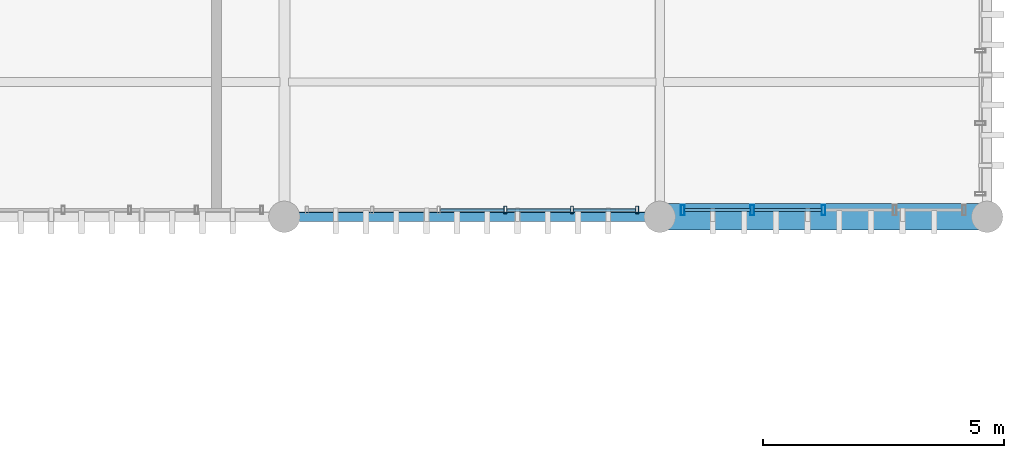
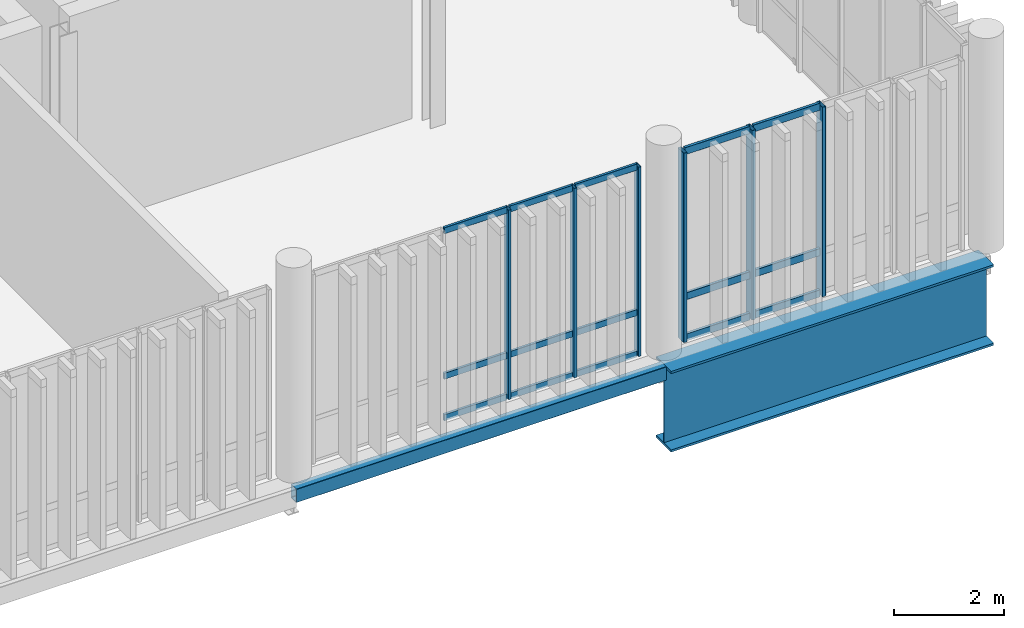
# One storey, part 41 of 81: 21 members, 2 beams, 2 elements without a shape of their own.
"""IFC4 building model written with IfcOpenShell, lengths in metres."""

from ifc_helpers import new_model, si_unit, direction, frame, origin_with_axes, origin_2d_with_axis, place, context, subcontext, project, spatial, hollow_rectangle, i_section, extrude, material, material_profile, profile_set, type_object, element, aggregate, save


model = new_model("IFC4")

# Units and contexts
model_context = context("Model", 3, precision=1e-05, world=origin_with_axes(), true_north=direction((0.0, 1.0)))
body_context = subcontext(model_context, "Body", "Model", "MODEL_VIEW")
ifc_project = project(units=[si_unit("LENGTHUNIT", "METRE"), si_unit("AREAUNIT", "SQUARE_METRE"), si_unit("VOLUMEUNIT", "CUBIC_METRE"), si_unit("PLANEANGLEUNIT", "RADIAN"), si_unit("MASSUNIT", "GRAM", prefix="KILO"), si_unit("THERMODYNAMICTEMPERATUREUNIT", "KELVIN")], contexts=[model_context])

# Site, building, storey
site_placement = place(None, origin_with_axes())
site = spatial("IfcSite", under=ifc_project, at=site_placement, CompositionType="ELEMENT")
building_placement = place(site_placement, origin_with_axes())
building = spatial("IfcBuilding", under=site, at=building_placement, Name="Montbau Bow Law Courts", CompositionType="ELEMENT")
storey_placement = place(building_placement, frame((0.0, 0.0, 24.9), z_axis=(0.0, 0.0, 1.0), x_axis=(1.0, 0.0, 0.0)))
storey = spatial("IfcBuildingStorey", under=building, at=storey_placement, Name="L05", CompositionType="ELEMENT", Elevation=24.9)

# Beams
ifc_material_1 = material(Name="Steel CSA G40.21 Grade 350WT (350 MPa)", Category="steel")
ifc_material_profile_1 = material_profile(ifc_material_1, hollow_rectangle(XDim=0.203, YDim=0.305, WallThickness=0.0127, InnerFilletRadius=0.0254, OuterFilletRadius=0.0127, at=origin_2d_with_axis()), Name="HSS305X203X13", Category="Main", Priority=0)
ifc_profile_set_1 = profile_set([ifc_material_profile_1], Name="Steel CSA G40.21 Grade 350WT (350 MPa)")
beam_type_1 = type_object("IfcBeamType", Name="B-SPN-02", PredefinedType="SPANDREL", material=ifc_profile_set_1)
beam_1_placement = place(None, frame((154.8, 78.0, 24.448), z_axis=(1.0, 0.0, 0.0), x_axis=(0.0, 1.0, 0.0)))
element("IfcBeam", 1, at=beam_1_placement, inside=storey, type_object=beam_type_1, Name="SPN-L05-S1286:bm2_1289", PredefinedType="SPANDREL", context=body_context, shape_type="SweptSolid", body=[
    extrude(hollow_rectangle(XDim=0.203, YDim=0.305, WallThickness=0.0127, InnerFilletRadius=0.0254, OuterFilletRadius=0.0127, at=origin_2d_with_axis()), origin_with_axes(), (0.0, 0.0, 1.0), 7.8),
])
ifc_material_profile_2 = material_profile(ifc_material_1, i_section(OverallWidth=0.55, OverallDepth=1.8, WebThickness=0.022, FlangeThickness=0.05, at=origin_2d_with_axis()), Name="WWF1800X550", Category="Main", Priority=0)
ifc_profile_set_2 = profile_set([ifc_material_profile_2], Name="Steel CSA G40.21 Grade 350WT (350 MPa)")
beam_type_2 = type_object("IfcBeamType", Name="B-TRG-01", PredefinedType="USERDEFINED", material=ifc_profile_set_2)
beam_2_placement = place(None, frame((162.6, 78.0, 23.7), z_axis=(1.0, 0.0, 0.0), x_axis=(0.0, 1.0, 0.0)))
element("IfcBeam", 2, at=beam_2_placement, inside=storey, type_object=beam_type_2, Name="TRG-L05-S0117:bm2_0120", ObjectType="GIRDER", PredefinedType="USERDEFINED", context=body_context, shape_type="SweptSolid", body=[
    extrude(i_section(OverallWidth=0.55, OverallDepth=1.8, WebThickness=0.022, FlangeThickness=0.05, at=origin_2d_with_axis()), origin_with_axes(), (0.0, 0.0, 1.0), 6.8),
])

# Curtain wall, members
ifc_material_2 = material(Name="Thermally Broken Extruded Aluminium AA 6063-T6", Category="aluminium")
curtain_wall_type = type_object("IfcCurtainWallType", Name="CW-SLT-02", PredefinedType="NOTDEFINED", material=ifc_material_2)
curtain_wall_1_placement = place(None, frame((163.04, 78.14, 24.9), z_axis=(0.0, 0.0, 1.0), x_axis=(1.0, 0.0, 0.0)))
curtain_wall_1 = element("IfcCurtainWall", 3, at=curtain_wall_1_placement, inside=storey, type_object=curtain_wall_type, Name="CW-L05-336:cw_0336", PredefinedType="NOTDEFINED")
ifc_material_profile_3 = material_profile(ifc_material_2, hollow_rectangle(XDim=0.075, YDim=0.22, WallThickness=0.005, InnerFilletRadius=0.01, OuterFilletRadius=0.005, at=origin_2d_with_axis()), Name="CWM-220X75", Category="Main", Priority=0)
ifc_profile_set_3 = profile_set([ifc_material_profile_3], Name="Thermally Broken Extruded Aluminium AA 6063-T6")
member_type_1 = type_object("IfcMemberType", Name="M-MUL-01", PredefinedType="MULLION", material=ifc_profile_set_3)
member_1_placement = place(None, frame((163.077, 78.14, 24.9), z_axis=(0.0, 0.0, 1.0), x_axis=(1.0, 0.0, 0.0)))
member_1 = element("IfcMember", 4, at=member_1_placement, type_object=member_type_1, Name="CW-L05-336-M01:cw_0336_M01", PredefinedType="MULLION", context=body_context, shape_type="SweptSolid", body=[
    extrude(hollow_rectangle(XDim=0.075, YDim=0.22, WallThickness=0.005, InnerFilletRadius=0.01, OuterFilletRadius=0.005, at=origin_2d_with_axis()), origin_with_axes(), (0.0, 0.0, 1.0), 4.22),
])
member_2_placement = place(None, frame((164.52, 78.14, 24.9), z_axis=(0.0, 0.0, 1.0), x_axis=(1.0, 0.0, 0.0)))
member_2 = element("IfcMember", 5, at=member_2_placement, type_object=member_type_1, Name="CW-L05-336-M02:cw_0336_M02", PredefinedType="MULLION", context=body_context, shape_type="SweptSolid", body=[
    extrude(hollow_rectangle(XDim=0.075, YDim=0.22, WallThickness=0.005, InnerFilletRadius=0.01, OuterFilletRadius=0.005, at=origin_2d_with_axis()), origin_with_axes(), (0.0, 0.0, 1.0), 4.22),
])
member_3_placement = place(None, frame((166.0, 78.14, 24.9), z_axis=(0.0, 0.0, 1.0), x_axis=(1.0, 0.0, 0.0)))
member_3 = element("IfcMember", 6, at=member_3_placement, type_object=member_type_1, Name="CW-L05-336-M03:cw_0336_M03", PredefinedType="MULLION", context=body_context, shape_type="SweptSolid", body=[
    extrude(hollow_rectangle(XDim=0.075, YDim=0.22, WallThickness=0.005, InnerFilletRadius=0.01, OuterFilletRadius=0.005, at=origin_2d_with_axis()), origin_with_axes(), (0.0, 0.0, 1.0), 4.22),
])

curtain_wall_2_placement = place(None, frame((155.24, 78.14, 24.9), z_axis=(0.0, 0.0, 1.0), x_axis=(1.0, 0.0, 0.0)))
curtain_wall_2 = element("IfcCurtainWall", 7, at=curtain_wall_2_placement, inside=storey, type_object=curtain_wall_type, Name="CW-L05-335:cw_0335", PredefinedType="NOTDEFINED")
ifc_material_profile_4 = material_profile(ifc_material_2, hollow_rectangle(XDim=0.06, YDim=0.16, WallThickness=0.004, InnerFilletRadius=0.008, OuterFilletRadius=0.004, at=origin_2d_with_axis()), Name="CWM-160X60", Category="Main", Priority=0)
ifc_profile_set_4 = profile_set([ifc_material_profile_4], Name="Thermally Broken Extruded Aluminium AA 6063-T6")
member_type_2 = type_object("IfcMemberType", Name="M-MUL-03", PredefinedType="MULLION", material=ifc_profile_set_4)
member_4_placement = place(None, frame((159.392, 78.14, 24.9), z_axis=(0.0, 0.0, 1.0), x_axis=(1.0, 0.0, 0.0)))
member_4 = element("IfcMember", 8, at=member_4_placement, type_object=member_type_2, Name="CW-L05-335-M04:cw_0335_M04", PredefinedType="MULLION", context=body_context, shape_type="SweptSolid", body=[
    extrude(hollow_rectangle(XDim=0.06, YDim=0.16, WallThickness=0.004, InnerFilletRadius=0.008, OuterFilletRadius=0.004, at=origin_2d_with_axis()), origin_with_axes(), (0.0, 0.0, 1.0), 4.22),
])
member_5_placement = place(None, frame((160.776, 78.14, 24.9), z_axis=(0.0, 0.0, 1.0), x_axis=(1.0, 0.0, 0.0)))
member_5 = element("IfcMember", 9, at=member_5_placement, type_object=member_type_2, Name="CW-L05-335-M05:cw_0335_M05", PredefinedType="MULLION", context=body_context, shape_type="SweptSolid", body=[
    extrude(hollow_rectangle(XDim=0.06, YDim=0.16, WallThickness=0.004, InnerFilletRadius=0.008, OuterFilletRadius=0.004, at=origin_2d_with_axis()), origin_with_axes(), (0.0, 0.0, 1.0), 4.22),
])
member_6_placement = place(None, frame((162.13, 78.14, 24.9), z_axis=(0.0, 0.0, 1.0), x_axis=(1.0, 0.0, 0.0)))
member_6 = element("IfcMember", 10, at=member_6_placement, type_object=member_type_2, Name="CW-L05-335-M06:cw_0335_M06", PredefinedType="MULLION", context=body_context, shape_type="SweptSolid", body=[
    extrude(hollow_rectangle(XDim=0.06, YDim=0.16, WallThickness=0.004, InnerFilletRadius=0.008, OuterFilletRadius=0.004, at=origin_2d_with_axis()), origin_with_axes(), (0.0, 0.0, 1.0), 4.22),
])

# Member
ifc_material_profile_5 = material_profile(ifc_material_2, hollow_rectangle(XDim=0.06, YDim=0.16, WallThickness=0.004, InnerFilletRadius=0.008, OuterFilletRadius=0.004, at=origin_2d_with_axis()), Name="CWT-160X60", Category="Main", Priority=0)
ifc_profile_set_5 = profile_set([ifc_material_profile_5], Name="Thermally Broken Extruded Aluminium AA 6063-T6")
member_type_3 = type_object("IfcMemberType", Name="M-TRN-01", PredefinedType="USERDEFINED", material=ifc_profile_set_5)
member_7_placement = place(None, frame((163.116, 78.14, 24.93), z_axis=(1.0, 0.0, 0.0), x_axis=(0.0, 1.0, 0.0)))
member_7 = element("IfcMember", 11, at=member_7_placement, type_object=member_type_3, Name="CW-L05-336-T01-1:cw_0336_T01_1", ObjectType="TRANSOM", PredefinedType="USERDEFINED", context=body_context, shape_type="SweptSolid", body=[
    extrude(hollow_rectangle(XDim=0.06, YDim=0.16, WallThickness=0.004, InnerFilletRadius=0.008, OuterFilletRadius=0.004, at=origin_2d_with_axis()), origin_with_axes(), (0.0, 0.0, 1.0), 1.364),
])

member_8_placement = place(None, frame((163.116, 78.14, 25.85), z_axis=(1.0, 0.0, 0.0), x_axis=(0.0, 1.0, 0.0)))
member_8 = element("IfcMember", 12, at=member_8_placement, type_object=member_type_3, Name="CW-L05-336-T01-2:cw_0336_T01_2", ObjectType="TRANSOM", PredefinedType="USERDEFINED", context=body_context, shape_type="SweptSolid", body=[
    extrude(hollow_rectangle(XDim=0.06, YDim=0.16, WallThickness=0.004, InnerFilletRadius=0.008, OuterFilletRadius=0.004, at=origin_2d_with_axis()), origin_with_axes(), (0.0, 0.0, 1.0), 1.364),
])

member_9_placement = place(None, frame((163.116, 78.14, 29.09), z_axis=(1.0, 0.0, 0.0), x_axis=(0.0, 1.0, 0.0)))
member_9 = element("IfcMember", 13, at=member_9_placement, type_object=member_type_3, Name="CW-L05-336-T01-3:cw_0336_T01_3", ObjectType="TRANSOM", PredefinedType="USERDEFINED", context=body_context, shape_type="SweptSolid", body=[
    extrude(hollow_rectangle(XDim=0.06, YDim=0.16, WallThickness=0.004, InnerFilletRadius=0.008, OuterFilletRadius=0.004, at=origin_2d_with_axis()), origin_with_axes(), (0.0, 0.0, 1.0), 1.364),
])

member_10_placement = place(None, frame((164.56, 78.14, 24.93), z_axis=(1.0, 0.0, 0.0), x_axis=(0.0, 1.0, 0.0)))
member_10 = element("IfcMember", 14, at=member_10_placement, type_object=member_type_3, Name="CW-L05-336-T02-1:cw_0336_T02_1", ObjectType="TRANSOM", PredefinedType="USERDEFINED", context=body_context, shape_type="SweptSolid", body=[
    extrude(hollow_rectangle(XDim=0.06, YDim=0.16, WallThickness=0.004, InnerFilletRadius=0.008, OuterFilletRadius=0.004, at=origin_2d_with_axis()), origin_with_axes(), (0.0, 0.0, 1.0), 1.401),
])

member_11_placement = place(None, frame((164.56, 78.14, 25.85), z_axis=(1.0, 0.0, 0.0), x_axis=(0.0, 1.0, 0.0)))
member_11 = element("IfcMember", 15, at=member_11_placement, type_object=member_type_3, Name="CW-L05-336-T02-2:cw_0336_T02_2", ObjectType="TRANSOM", PredefinedType="USERDEFINED", context=body_context, shape_type="SweptSolid", body=[
    extrude(hollow_rectangle(XDim=0.06, YDim=0.16, WallThickness=0.004, InnerFilletRadius=0.008, OuterFilletRadius=0.004, at=origin_2d_with_axis()), origin_with_axes(), (0.0, 0.0, 1.0), 1.401),
])

member_12_placement = place(None, frame((164.56, 78.14, 29.09), z_axis=(1.0, 0.0, 0.0), x_axis=(0.0, 1.0, 0.0)))
member_12 = element("IfcMember", 16, at=member_12_placement, type_object=member_type_3, Name="CW-L05-336-T02-3:cw_0336_T02_3", ObjectType="TRANSOM", PredefinedType="USERDEFINED", context=body_context, shape_type="SweptSolid", body=[
    extrude(hollow_rectangle(XDim=0.06, YDim=0.16, WallThickness=0.004, InnerFilletRadius=0.008, OuterFilletRadius=0.004, at=origin_2d_with_axis()), origin_with_axes(), (0.0, 0.0, 1.0), 1.401),
])

aggregate(curtain_wall_1, [member_1, member_2, member_3, member_7, member_8, member_9, member_10, member_11, member_12])

ifc_material_profile_6 = material_profile(ifc_material_2, hollow_rectangle(XDim=0.055, YDim=0.14, WallThickness=0.004, InnerFilletRadius=0.008, OuterFilletRadius=0.004, at=origin_2d_with_axis()), Name="CWT-140X55", Category="Main", Priority=0)
ifc_profile_set_6 = profile_set([ifc_material_profile_6], Name="Thermally Broken Extruded Aluminium AA 6063-T6")
member_type_4 = type_object("IfcMemberType", Name="M-TRN-02", PredefinedType="USERDEFINED", material=ifc_profile_set_6)
member_13_placement = place(None, frame((158.04, 78.14, 24.927), z_axis=(1.0, 0.0, 0.0), x_axis=(0.0, 1.0, 0.0)))
member_13 = element("IfcMember", 17, at=member_13_placement, type_object=member_type_4, Name="CW-L05-335-T03-1:cw_0335_T03_1", ObjectType="TRANSOM", PredefinedType="USERDEFINED", context=body_context, shape_type="SweptSolid", body=[
    extrude(hollow_rectangle(XDim=0.055, YDim=0.14, WallThickness=0.004, InnerFilletRadius=0.008, OuterFilletRadius=0.004, at=origin_2d_with_axis()), origin_with_axes(), (0.0, 0.0, 1.0), 1.32),
])

member_14_placement = place(None, frame((158.04, 78.14, 25.85), z_axis=(1.0, 0.0, 0.0), x_axis=(0.0, 1.0, 0.0)))
member_14 = element("IfcMember", 18, at=member_14_placement, type_object=member_type_4, Name="CW-L05-335-T03-2:cw_0335_T03_2", ObjectType="TRANSOM", PredefinedType="USERDEFINED", context=body_context, shape_type="SweptSolid", body=[
    extrude(hollow_rectangle(XDim=0.055, YDim=0.14, WallThickness=0.004, InnerFilletRadius=0.008, OuterFilletRadius=0.004, at=origin_2d_with_axis()), origin_with_axes(), (0.0, 0.0, 1.0), 1.32),
])

member_15_placement = place(None, frame((158.04, 78.14, 29.093), z_axis=(1.0, 0.0, 0.0), x_axis=(0.0, 1.0, 0.0)))
member_15 = element("IfcMember", 19, at=member_15_placement, type_object=member_type_4, Name="CW-L05-335-T03-3:cw_0335_T03_3", ObjectType="TRANSOM", PredefinedType="USERDEFINED", context=body_context, shape_type="SweptSolid", body=[
    extrude(hollow_rectangle(XDim=0.055, YDim=0.14, WallThickness=0.004, InnerFilletRadius=0.008, OuterFilletRadius=0.004, at=origin_2d_with_axis()), origin_with_axes(), (0.0, 0.0, 1.0), 1.32),
])

member_16_placement = place(None, frame((159.424, 78.14, 24.927), z_axis=(1.0, 0.0, 0.0), x_axis=(0.0, 1.0, 0.0)))
member_16 = element("IfcMember", 20, at=member_16_placement, type_object=member_type_4, Name="CW-L05-335-T04-1:cw_0335_T04_1", ObjectType="TRANSOM", PredefinedType="USERDEFINED", context=body_context, shape_type="SweptSolid", body=[
    extrude(hollow_rectangle(XDim=0.055, YDim=0.14, WallThickness=0.004, InnerFilletRadius=0.008, OuterFilletRadius=0.004, at=origin_2d_with_axis()), origin_with_axes(), (0.0, 0.0, 1.0), 1.32),
])

member_17_placement = place(None, frame((159.424, 78.14, 25.85), z_axis=(1.0, 0.0, 0.0), x_axis=(0.0, 1.0, 0.0)))
member_17 = element("IfcMember", 21, at=member_17_placement, type_object=member_type_4, Name="CW-L05-335-T04-2:cw_0335_T04_2", ObjectType="TRANSOM", PredefinedType="USERDEFINED", context=body_context, shape_type="SweptSolid", body=[
    extrude(hollow_rectangle(XDim=0.055, YDim=0.14, WallThickness=0.004, InnerFilletRadius=0.008, OuterFilletRadius=0.004, at=origin_2d_with_axis()), origin_with_axes(), (0.0, 0.0, 1.0), 1.32),
])

member_18_placement = place(None, frame((159.424, 78.14, 29.093), z_axis=(1.0, 0.0, 0.0), x_axis=(0.0, 1.0, 0.0)))
member_18 = element("IfcMember", 22, at=member_18_placement, type_object=member_type_4, Name="CW-L05-335-T04-3:cw_0335_T04_3", ObjectType="TRANSOM", PredefinedType="USERDEFINED", context=body_context, shape_type="SweptSolid", body=[
    extrude(hollow_rectangle(XDim=0.055, YDim=0.14, WallThickness=0.004, InnerFilletRadius=0.008, OuterFilletRadius=0.004, at=origin_2d_with_axis()), origin_with_axes(), (0.0, 0.0, 1.0), 1.32),
])

member_19_placement = place(None, frame((160.808, 78.14, 24.927), z_axis=(1.0, 0.0, 0.0), x_axis=(0.0, 1.0, 0.0)))
member_19 = element("IfcMember", 23, at=member_19_placement, type_object=member_type_4, Name="CW-L05-335-T05-1:cw_0335_T05_1", ObjectType="TRANSOM", PredefinedType="USERDEFINED", context=body_context, shape_type="SweptSolid", body=[
    extrude(hollow_rectangle(XDim=0.055, YDim=0.14, WallThickness=0.004, InnerFilletRadius=0.008, OuterFilletRadius=0.004, at=origin_2d_with_axis()), origin_with_axes(), (0.0, 0.0, 1.0), 1.29),
])

member_20_placement = place(None, frame((160.808, 78.14, 25.85), z_axis=(1.0, 0.0, 0.0), x_axis=(0.0, 1.0, 0.0)))
member_20 = element("IfcMember", 24, at=member_20_placement, type_object=member_type_4, Name="CW-L05-335-T05-2:cw_0335_T05_2", ObjectType="TRANSOM", PredefinedType="USERDEFINED", context=body_context, shape_type="SweptSolid", body=[
    extrude(hollow_rectangle(XDim=0.055, YDim=0.14, WallThickness=0.004, InnerFilletRadius=0.008, OuterFilletRadius=0.004, at=origin_2d_with_axis()), origin_with_axes(), (0.0, 0.0, 1.0), 1.29),
])

member_21_placement = place(None, frame((160.808, 78.14, 29.093), z_axis=(1.0, 0.0, 0.0), x_axis=(0.0, 1.0, 0.0)))
member_21 = element("IfcMember", 25, at=member_21_placement, type_object=member_type_4, Name="CW-L05-335-T05-3:cw_0335_T05_3", ObjectType="TRANSOM", PredefinedType="USERDEFINED", context=body_context, shape_type="SweptSolid", body=[
    extrude(hollow_rectangle(XDim=0.055, YDim=0.14, WallThickness=0.004, InnerFilletRadius=0.008, OuterFilletRadius=0.004, at=origin_2d_with_axis()), origin_with_axes(), (0.0, 0.0, 1.0), 1.29),
])

aggregate(curtain_wall_2, [member_4, member_5, member_6, member_13, member_14, member_15, member_16, member_17, member_18, member_19, member_20, member_21])

save(model, "model.ifc")
